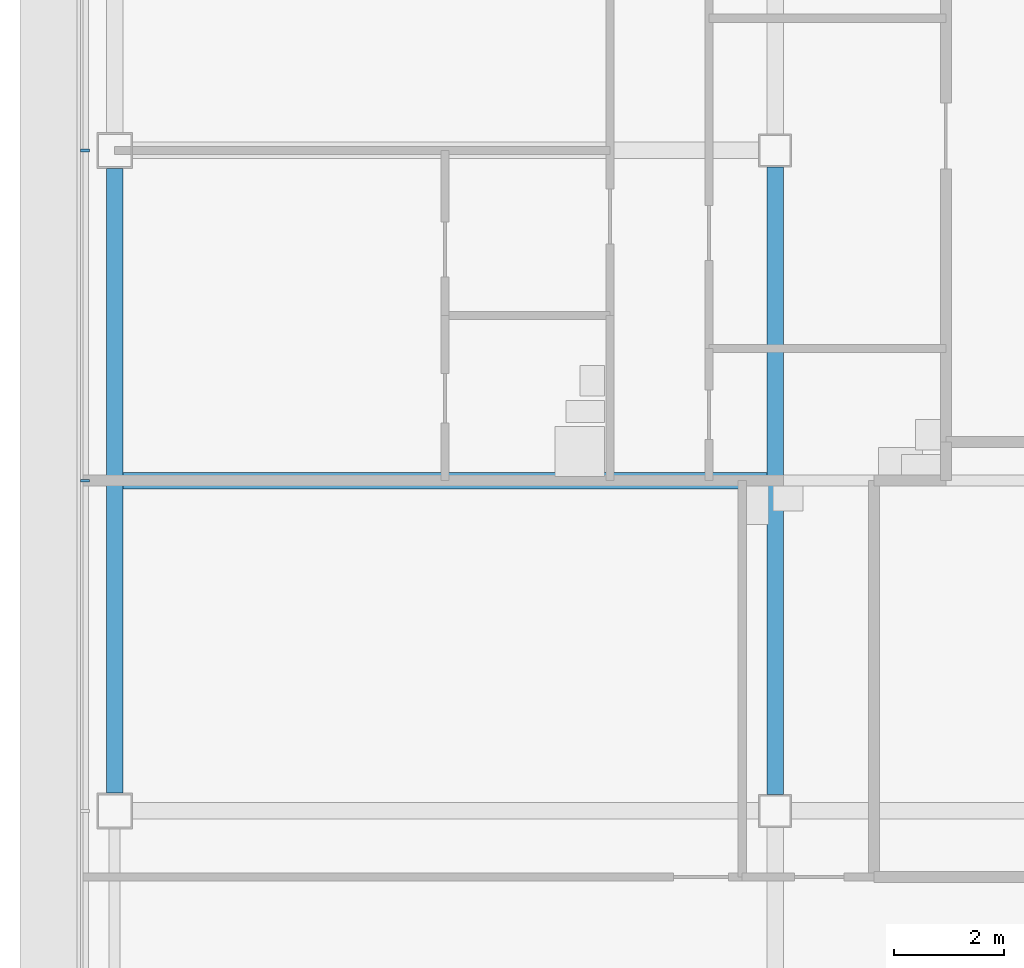
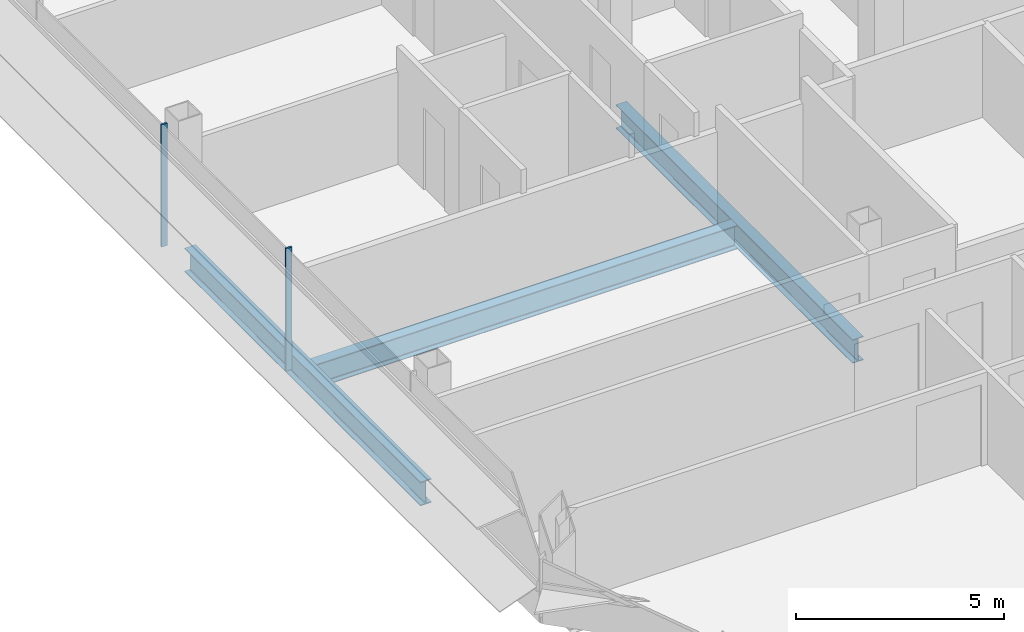
# One storey, part 4 of 26: 3 beams, 2 members, 1 element without a shape of its own.
"""IFC4 building model written with IfcOpenShell, lengths in metres."""

import ifcopenshell
import ifcopenshell.guid

model = None  # the IFC model being written
_history = None  # IfcOwnerHistory: only IFC2X3 demands one
_inside = {}  # id of a spatial element -> (the spatial element, [elements in it])
_under = {}  # id of a project, library or spatial element -> (it, [spatial elements below it])
_declared = {}  # id of a project -> (the project, [libraries it declares])
_typed = {}  # id of a type object -> (the type object, [elements of that type])
_made_of = {}  # id of a material, layer set ... -> (it, [elements and type objects made of it])


def new_model(schema):
    """Start an empty IFC model of exactly this schema.

    Asked for "IFC4X3", IfcOpenShell would pick the latest addendum, in which some entities
    have other attributes; the version numbers below select the first issue.
    IFC2X3 requires an IfcOwnerHistory on every rooted entity: one is made here for all.
    """
    global model, _history
    if schema == "IFC4X3":
        model = ifcopenshell.file(schema_version=(4, 3, 0, 0))
    else:
        model = ifcopenshell.file(schema=schema)
    _inside.clear()
    _under.clear()
    _declared.clear()
    _typed.clear()
    _made_of.clear()
    _history = None
    if model.schema == "IFC2X3":
        org = make("IfcOrganization", Name="unknown")
        user = make(
            "IfcPersonAndOrganization",
            ThePerson=make("IfcPerson", FamilyName="unknown"),
            TheOrganization=org,
        )
        app = make(
            "IfcApplication",
            ApplicationDeveloper=org,
            Version="unknown",
            ApplicationFullName="unknown",
            ApplicationIdentifier="unknown",
        )
        _history = make(
            "IfcOwnerHistory",
            OwningUser=user,
            OwningApplication=app,
            ChangeAction="ADDED",
            CreationDate=0,
        )
    return model


def make(cls, **values):
    """One entity of the class cls with the attributes given. An attribute that is None is left unset."""
    return model.create_entity(
        cls, **{name: value for name, value in values.items() if value is not None}
    )


def rooted(cls, **values):
    """An entity with a GlobalId (a new one), such as an element, a storey or a relation."""
    return make(cls, GlobalId=ifcopenshell.guid.new(), OwnerHistory=_history, **values)


def si_unit(unit_type, name, prefix=None):
    """IfcSIUnit, for example si_unit("LENGTHUNIT", "METRE", prefix="MILLI")."""
    return make("IfcSIUnit", UnitType=unit_type, Prefix=prefix, Name=name)


def assignment(units):
    """IfcUnitAssignment: the units of a project."""
    return None if units is None else make("IfcUnitAssignment", Units=units)


def point(xyz):
    """IfcCartesianPoint."""
    return None if xyz is None else make("IfcCartesianPoint", Coordinates=xyz)


def direction(xyz):
    """IfcDirection."""
    return None if xyz is None else make("IfcDirection", DirectionRatios=xyz)


def frame(location, z_axis=None, x_axis=None):
    """IfcAxis2Placement3D, a coordinate frame: its origin and axes. An axis left out is left unset."""
    return make(
        "IfcAxis2Placement3D",
        Location=point(location),
        Axis=direction(z_axis),
        RefDirection=direction(x_axis),
    )


def frame_2d(location, x_axis=None):
    """IfcAxis2Placement2D, a coordinate frame in the plane: its origin and x axis."""
    return make(
        "IfcAxis2Placement2D", Location=point(location), RefDirection=direction(x_axis)
    )


def origin():
    """The frame at (0, 0, 0) with its axes left unset."""
    return frame((0.0, 0.0, 0.0))


def origin_2d():
    """The frame at (0, 0) in the plane with its x axis left unset."""
    return frame_2d((0.0, 0.0))


def place(relative_to, where):
    """IfcLocalPlacement: puts the frame where relative to a parent placement (None: the world)."""
    return make(
        "IfcLocalPlacement", PlacementRelTo=relative_to, RelativePlacement=where
    )


def context(
    kind, dimensions, precision=None, world=None, true_north=None, identifier=None
):
    """IfcGeometricRepresentationContext, for example the 3D "Model" context."""
    return make(
        "IfcGeometricRepresentationContext",
        ContextIdentifier=identifier,
        ContextType=kind,
        CoordinateSpaceDimension=dimensions,
        Precision=precision,
        WorldCoordinateSystem=world,
        TrueNorth=true_north,
    )


def subcontext(parent, identifier, kind, view, scale=None):
    """IfcGeometricRepresentationSubContext, for example "Body" below "Model"."""
    return make(
        "IfcGeometricRepresentationSubContext",
        ContextIdentifier=identifier,
        ContextType=kind,
        ParentContext=parent,
        TargetScale=scale,
        TargetView=view,
    )


def project(units=None, contexts=None):
    """IfcProject with its units and contexts."""
    return rooted(
        "IfcProject",
        Name="project",
        RepresentationContexts=contexts,
        UnitsInContext=assignment(units),
    )


def spatial(cls, under=None, at=None, **own):
    """A site, building, storey or space (cls), placed at a placement, below another one or the project."""
    s = rooted(cls, ObjectPlacement=at, **own)
    if under is not None:
        _under.setdefault(under.id(), (under, []))[1].append(s)
    return s


def profile(cls, at=None, kind="AREA", **sizes):
    """A parametric profile (cls). Its sizes go by their IFC names, for example OverallWidth=200.0."""
    return make(cls, ProfileType=kind, Position=at, **sizes)


def rectangle(**sizes):
    """IfcRectangleProfileDef."""
    return profile("IfcRectangleProfileDef", **sizes)


def i_section(**sizes):
    """IfcIShapeProfileDef."""
    return profile("IfcIShapeProfileDef", **sizes)


def extrude(swept, where, along, depth):
    """IfcExtrudedAreaSolid: the profile swept, set in the frame where, extruded along a direction by depth."""
    return make(
        "IfcExtrudedAreaSolid",
        SweptArea=swept,
        Position=where,
        ExtrudedDirection=direction(along),
        Depth=depth,
    )


def shape(context_of_items, identifier, shape_type, items):
    """IfcShapeRepresentation: the items that make up one representation, for example the "Body"."""
    return make(
        "IfcShapeRepresentation",
        ContextOfItems=context_of_items,
        RepresentationIdentifier=identifier,
        RepresentationType=shape_type,
        Items=items,
    )


def material(Name=None, Category=None):
    """IfcMaterial."""
    return make("IfcMaterial", Name=Name, Category=Category)


def material_profile(
    of_material, cross_section, Name=None, Category=None, Priority=None
):
    """IfcMaterialProfile: a cross section and its material."""
    return make(
        "IfcMaterialProfile",
        Name=Name,
        Material=of_material,
        Profile=cross_section,
        Priority=Priority,
        Category=Category,
    )


def profile_set(profiles, Name=None, composite=None):
    """IfcMaterialProfileSet."""
    return make(
        "IfcMaterialProfileSet",
        Name=Name,
        MaterialProfiles=profiles,
        CompositeProfile=composite,
    )


def made_of(thing, what):
    """Note that an element or type object is made of a material, layer set ...; save() writes the relation."""
    if what is not None:
        _made_of.setdefault(what.id(), (what, []))[1].append(thing)
    return thing


def type_object(cls, material=None, **own):
    """A type object (cls), such as IfcWallType, which elements share."""
    return made_of(rooted(cls, **own), material)


def element(
    cls,
    number,
    at=None,
    inside=None,
    cuts=None,
    type_object=None,
    material=None,
    context=None,
    identifier="Body",
    shape_type=None,
    held_by="IfcProductDefinitionShape",
    body=None,
    shapes=None,
    **own,
):
    """One element of the class cls, such as IfcWall. Its Tag is "e" and its number.

    at: its placement. inside: the storey or other place that contains it. cuts: it is an
    opening in that element (IfcRelVoidsElement). A single representation is given by context,
    identifier, shape_type and body (its items); several are given by shapes. held_by: the class
    of the entity that holds the representations. save() writes the other relations.
    """
    e = rooted(cls, Tag="e%d" % number, ObjectPlacement=at, **own)
    if body is not None:
        shapes = [shape(context, identifier, shape_type, body)]
    if shapes is not None:
        e.Representation = make(held_by, Representations=shapes)
    if inside is not None:
        _inside.setdefault(inside.id(), (inside, []))[1].append(e)
    if cuts is not None:
        rooted(
            "IfcRelVoidsElement", RelatingBuildingElement=cuts, RelatedOpeningElement=e
        )
    if type_object is not None:
        _typed.setdefault(type_object.id(), (type_object, []))[1].append(e)
    return made_of(e, material)


def aggregate(whole, parts):
    """IfcRelAggregates: a whole, such as a stair, and the parts it consists of."""
    return rooted("IfcRelAggregates", RelatingObject=whole, RelatedObjects=parts)


def save(model, path):
    """Write the relations noted so far, then the file.

    IfcRelAggregates (storeys below a building ...), IfcRelContainedInSpatialStructure (elements
    in a storey), IfcRelDefinesByType, IfcRelAssociatesMaterial and IfcRelDeclares: one each for
    every whole, place, type object, material and project.
    """
    for whole, parts in _under.values():
        aggregate(whole, parts)
    for where, things in _inside.values():
        rooted(
            "IfcRelContainedInSpatialStructure",
            RelatedElements=things,
            RelatingStructure=where,
        )
    for kind, things in _typed.values():
        rooted("IfcRelDefinesByType", RelatedObjects=things, RelatingType=kind)
    for what, things in _made_of.values():
        rooted("IfcRelAssociatesMaterial", RelatedObjects=things, RelatingMaterial=what)
    for by, libraries in _declared.values():
        rooted("IfcRelDeclares", RelatingContext=by, RelatedDefinitions=libraries)
    model.write(path)


model = new_model("IFC4")

# Units and contexts
model_context = context("Model", 3, precision=1e-05, world=origin(), true_north=direction((0.0, 1.0)))
body_context = subcontext(model_context, "Body", "Model", "MODEL_VIEW")
ifc_project = project(units=[si_unit("LENGTHUNIT", "METRE"), si_unit("AREAUNIT", "SQUARE_METRE"), si_unit("VOLUMEUNIT", "CUBIC_METRE"), si_unit("PLANEANGLEUNIT", "RADIAN"), si_unit("MASSUNIT", "GRAM", prefix="KILO")], contexts=[model_context])

# Site, building, storey
site_placement = place(None, origin())
site = spatial("IfcSite", under=ifc_project, at=site_placement, CompositionType="ELEMENT")
building_placement = place(site_placement, origin())
building = spatial("IfcBuilding", under=site, at=building_placement, Name="Sorahane Residences", CompositionType="ELEMENT")
storey_placement = place(building_placement, frame((0.0, 0.0, 215.39990234375)))
storey = spatial("IfcBuildingStorey", under=building, at=storey_placement, Name="L50", CompositionType="ELEMENT", Elevation=215.39990234375)

# Curtain wall, members
ifc_material_1 = material(Name="Dark low-e glass and black anodised aluminium", Category="aluminium")
curtain_wall_type = type_object("IfcCurtainWallType", Name="Curtain wall CW-1 Typical unitised wall", PredefinedType="NOTDEFINED", material=ifc_material_1)
curtain_wall_placement = place(storey_placement, origin())
curtain_wall = element("IfcCurtainWall", 1, at=curtain_wall_placement, inside=storey, type_object=curtain_wall_type, Name="CW-1 curtain wall L50 W1", PredefinedType="NOTDEFINED")
ifc_material_2 = material(Name="Black anodised aluminium", Category="aluminium")
ifc_material_profile_1 = material_profile(ifc_material_2, rectangle(XDim=0.159912109375, YDim=0.050048828125, at=origin_2d()), Name="Curtain wall mullion CW-1 black anodised aluminium 50x160")
ifc_profile_set_1 = profile_set([ifc_material_profile_1], Name="Black anodised aluminium")
member_type = type_object("IfcMemberType", Name="Curtain wall mullion CW-1 black anodised aluminium 50x160", PredefinedType="MULLION", material=ifc_profile_set_1)
member_1_placement = place(storey_placement, frame((-12.5400390625, 24.0, -0.179931640625), z_axis=(0.0, 0.0, 1.0), x_axis=(-1.0, 0.0, 0.0)))
member_1 = element("IfcMember", 2, at=member_1_placement, type_object=member_type, Name="CW-1 mullion L50 W1.4", PredefinedType="MULLION", context=body_context, shape_type="SweptSolid", body=[
    extrude(rectangle(XDim=0.159912109375, YDim=0.050048828125, at=origin_2d()), origin(), (0.0, 0.0, 1.0), 3.60009765625),
])
member_2_placement = place(storey_placement, frame((-12.5400390625, 18.0, -0.179931640625), z_axis=(0.0, 0.0, 1.0), x_axis=(-1.0, 0.0, 0.0)))
member_2 = element("IfcMember", 3, at=member_2_placement, type_object=member_type, Name="CW-1 mullion L50 W1.5", PredefinedType="MULLION", context=body_context, shape_type="SweptSolid", body=[
    extrude(rectangle(XDim=0.159912109375, YDim=0.050048828125, at=origin_2d()), origin(), (0.0, 0.0, 1.0), 3.60009765625),
])
aggregate(curtain_wall, [member_1, member_2])

# Beams
ifc_material_3 = material(Name="Steel Q355B", Category="steel")
ifc_material_profile_2 = material_profile(ifc_material_3, i_section(OverallWidth=0.300048828125, OverallDepth=0.699951171875, WebThickness=0.012939453125, FlangeThickness=0.02392578125, FilletRadius=0.028076171875, at=origin_2d()), Name="HN 700x300x13x24")
ifc_profile_set_2 = profile_set([ifc_material_profile_2], Name="Steel Q355B")
beam_type = type_object("IfcBeamType", Name="Steel floor beam HN 700x300x13x24 Q355B", PredefinedType="BEAM", material=ifc_profile_set_2)
beam_1_placement = place(storey_placement, frame((-12.0, 12.324951171875, -0.52978515625), z_axis=(0.0, 1.0, 0.0), x_axis=(-1.0, 0.0, 0.0)))
element("IfcBeam", 4, at=beam_1_placement, inside=storey, type_object=beam_type, Name="Beam L50 021", PredefinedType="BEAM", context=body_context, shape_type="SweptSolid", body=[
    extrude(i_section(OverallWidth=0.300048828125, OverallDepth=0.699951171875, WebThickness=0.012939453125, FlangeThickness=0.02392578125, FilletRadius=0.028076171875, at=origin_2d()), origin(), (0.0, 0.0, 1.0), 11.35009765625),
])
beam_2_placement = place(storey_placement, frame((0.0, 12.300048828125, -0.52978515625), z_axis=(0.0, 1.0, 0.0), x_axis=(-1.0, 0.0, 0.0)))
element("IfcBeam", 5, at=beam_2_placement, inside=storey, type_object=beam_type, Name="Beam L50 025", PredefinedType="BEAM", context=body_context, shape_type="SweptSolid", body=[
    extrude(i_section(OverallWidth=0.300048828125, OverallDepth=0.699951171875, WebThickness=0.012939453125, FlangeThickness=0.02392578125, FilletRadius=0.028076171875, at=origin_2d()), origin(), (0.0, 0.0, 1.0), 11.39990234375),
])
beam_3_placement = place(storey_placement, frame((-11.85009765625, 18.0, -0.52978515625), z_axis=(1.0, 0.0, 0.0), x_axis=(0.0, 1.0, 0.0)))
element("IfcBeam", 6, at=beam_3_placement, inside=storey, type_object=beam_type, Name="Beam L50 078", PredefinedType="BEAM", context=body_context, shape_type="SweptSolid", body=[
    extrude(i_section(OverallWidth=0.300048828125, OverallDepth=0.699951171875, WebThickness=0.012939453125, FlangeThickness=0.02392578125, FilletRadius=0.028076171875, at=origin_2d()), origin(), (0.0, 0.0, 1.0), 11.7001953125),
])

save(model, "model.ifc")
